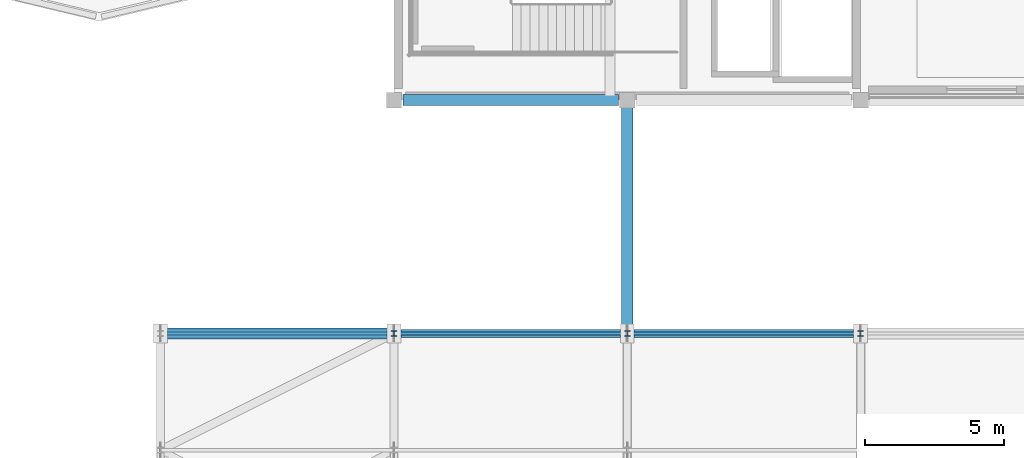
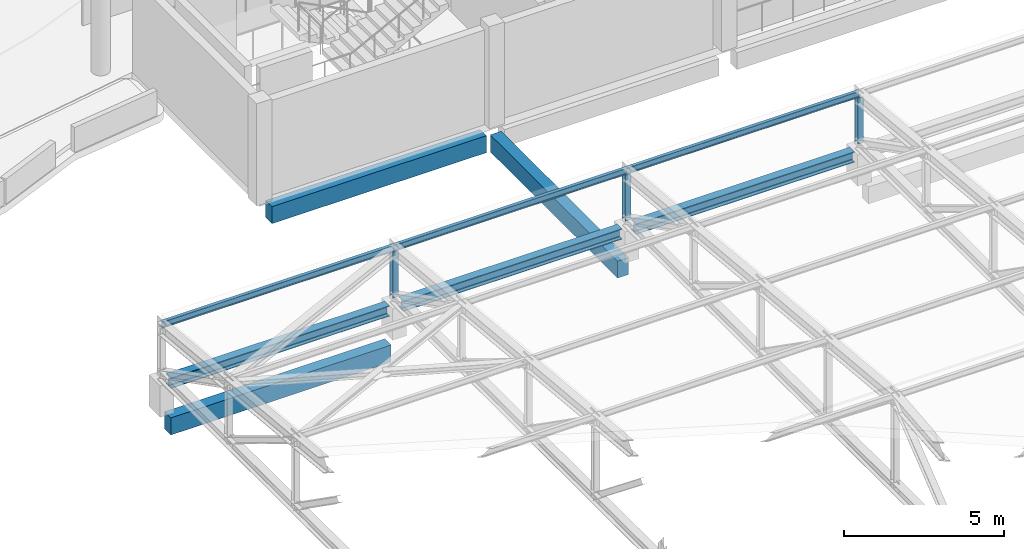
# One storey, part 27 of 74: 6 beams, 6 members.
"""IFC4 building model written with IfcOpenShell, lengths in metres."""

from ifc_helpers import new_model, si_unit, derived_unit, direction, frame, origin, origin_2d, place, context, subcontext, project, spatial, rectangle, i_section, extrude, material, material_profile, profile_set, type_object, element, save


model = new_model("IFC4")

# Units and contexts
model_context = context("Model", 3, precision=1e-05, world=origin(), true_north=direction((0.0, 1.0)))
body_context = subcontext(model_context, "Body", "Model", "MODEL_VIEW")
ifc_project = project(units=[si_unit("LENGTHUNIT", "METRE"), si_unit("AREAUNIT", "SQUARE_METRE"), si_unit("VOLUMEUNIT", "CUBIC_METRE"), si_unit("PLANEANGLEUNIT", "RADIAN"), si_unit("MASSUNIT", "GRAM", prefix="KILO"), derived_unit("THERMALTRANSMITTANCEUNIT", [(si_unit("POWERUNIT", "WATT"), 1), (si_unit("LENGTHUNIT", "METRE"), -2), (si_unit("THERMODYNAMICTEMPERATUREUNIT", "KELVIN"), -1)])], contexts=[model_context])

# Site, building, storey
site_placement = place(None, origin())
site = spatial("IfcSite", under=ifc_project, at=site_placement, CompositionType="ELEMENT")
building_placement = place(site_placement, origin())
building = spatial("IfcBuilding", under=site, at=building_placement, Name="Elbkamm Science Centre", CompositionType="ELEMENT")
storey_placement = place(building_placement, frame((0.0, 0.0, 14.39990234375)))
storey = spatial("IfcBuildingStorey", under=building, at=storey_placement, Name="L03", CompositionType="ELEMENT", Elevation=14.39990234375)

# Beams
ifc_material_1 = material(Name="Concrete C40/50", Category="concrete")
ifc_material_profile_1 = material_profile(ifc_material_1, rectangle(XDim=0.39990234375, YDim=0.64990234375, at=origin_2d()), Name="RC 400x650")
ifc_profile_set_1 = profile_set([ifc_material_profile_1], Name="Concrete C40/50")
beam_type_1 = type_object("IfcBeamType", Name="BM-RC-400x650", PredefinedType="BEAM", material=ifc_profile_set_1)
beam_1_placement = place(storey_placement, frame((75.925048828125, 42.0, -0.60498046875), z_axis=(1.0, 0.0, 0.0), x_axis=(0.0, 1.0, 0.0)))
element("IfcBeam", 1, at=beam_1_placement, inside=storey, type_object=beam_type_1, Name="L03 Primary X-Girder 007", PredefinedType="BEAM", context=body_context, shape_type="SweptSolid", body=[
    extrude(rectangle(XDim=0.39990234375, YDim=0.64990234375, at=origin_2d()), origin(), (0.0, 0.0, 1.0), 7.75),
])
for number, where, z_axis, x_axis, name in (
    (2, (67.419921875, 33.60009765625, -0.60498046875), (1.0, 0.0, 0.0), (0.0, 1.0, 0.0), "L03 Perimeter Ring Tie Girder 050"),
    (3, (84.0, 33.820068359375, -0.60498046875), (0.0, 1.0, 0.0), (-1.0, 0.0, 0.0), "L03 Perimeter Ring Tie Girder 052"),
):
    element("IfcBeam", number, at=place(storey_placement, frame(where, z_axis=z_axis, x_axis=x_axis)), inside=storey, type_object=beam_type_1, Name=name, PredefinedType="BEAM", context=body_context, shape_type="SweptSolid", body=[
        extrude(rectangle(XDim=0.39990234375, YDim=0.64990234375, at=origin_2d()), origin(), (0.0, 0.0, 1.0), 7.9599609375),
    ])
ifc_material_2 = material(Name="Steel EN 10025-2 S355J2", Category="steel")
ifc_material_profile_2 = material_profile(ifc_material_2, i_section(OverallWidth=0.300048828125, OverallDepth=0.39990234375, WebThickness=0.013427734375, FlangeThickness=0.02392578125, FilletRadius=0.027099609375, at=origin_2d()), Name="HEB 400")
ifc_profile_set_2 = profile_set([ifc_material_profile_2], Name="Steel EN 10025-2 S355J2")
beam_type_2 = type_object("IfcBeamType", Name="BM-STL-HEB400", PredefinedType="BEAM", material=ifc_profile_set_2)
beam_2_placement = place(storey_placement, frame((67.449951171875, 33.60009765625, 1.0), z_axis=(1.0, 0.0, 0.0), x_axis=(0.0, 1.0, 0.0)))
element("IfcBeam", 4, at=beam_2_placement, inside=storey, type_object=beam_type_2, Name="Theatre Eave Tie Girder N01", PredefinedType="SPANDREL", context=body_context, shape_type="SweptSolid", body=[
    extrude(i_section(OverallWidth=0.300048828125, OverallDepth=0.39990234375, WebThickness=0.013427734375, FlangeThickness=0.02392578125, FilletRadius=0.027099609375, at=origin_2d()), origin(), (0.0, 0.0, 1.0), 7.900146484375),
])
for number, where, z_axis, x_axis, name in (
    (5, (75.85009765625, 33.60009765625, 1.0), (1.0, 0.0, 0.0), (0.0, 1.0, 0.0), "Theatre Eave Tie Girder N02"),
    (6, (84.25, 33.60009765625, 1.0), (1.0, 0.0, 0.0), (0.0, 1.0, 0.0), "Theatre Eave Tie Girder N03"),
):
    element("IfcBeam", number, at=place(storey_placement, frame(where, z_axis=z_axis, x_axis=x_axis)), inside=storey, type_object=beam_type_2, Name=name, PredefinedType="SPANDREL", context=body_context, shape_type="SweptSolid", body=[
        extrude(i_section(OverallWidth=0.300048828125, OverallDepth=0.39990234375, WebThickness=0.013427734375, FlangeThickness=0.02392578125, FilletRadius=0.027099609375, at=origin_2d()), origin(), (0.0, 0.0, 1.0), 7.89990234375),
    ])

# Members
ifc_material_profile_3 = material_profile(ifc_material_2, i_section(OverallWidth=0.1201171875, OverallDepth=0.239990234375, WebThickness=0.006103515625, FlangeThickness=0.009765625, FilletRadius=0.014892578125, at=origin_2d()), Name="IPE 240")
ifc_profile_set_3 = profile_set([ifc_material_profile_3], Name="Steel EN 10025-2 S355J2")
member_type_1 = type_object("IfcMemberType", Name="MEM-PURLIN-IPE240", PredefinedType="PURLIN", material=ifc_profile_set_3)
member_placement = place(storey_placement, frame((67.199951171875, 33.60009765625, 3.257080078125), z_axis=(1.0, 0.0, 0.0), x_axis=(0.0, 1.0, 0.0)))
element("IfcMember", 7, at=member_placement, inside=storey, type_object=member_type_1, Name="Theatre Roof Purlin Bay 1-9", PredefinedType="PURLIN", context=body_context, shape_type="SweptSolid", body=[
    extrude(i_section(OverallWidth=0.1201171875, OverallDepth=0.239990234375, WebThickness=0.006103515625, FlangeThickness=0.009765625, FilletRadius=0.014892578125, at=origin_2d()), origin(), (0.0, 0.0, 1.0), 8.400146484375),
])
for number, where, z_axis, x_axis, name in (
    (8, (75.60009765625, 33.60009765625, 3.257080078125), (1.0, 0.0, 0.0), (0.0, 1.0, 0.0), "Theatre Roof Purlin Bay 2-9"),
    (9, (84.0, 33.60009765625, 3.257080078125), (1.0, 0.0, 0.0), (0.0, 1.0, 0.0), "Theatre Roof Purlin Bay 3-9"),
):
    element("IfcMember", number, at=place(storey_placement, frame(where, z_axis=z_axis, x_axis=x_axis)), inside=storey, type_object=member_type_1, Name=name, PredefinedType="PURLIN", context=body_context, shape_type="SweptSolid", body=[
        extrude(i_section(OverallWidth=0.1201171875, OverallDepth=0.239990234375, WebThickness=0.006103515625, FlangeThickness=0.009765625, FilletRadius=0.014892578125, at=origin_2d()), origin(), (0.0, 0.0, 1.0), 8.39990234375),
    ])
ifc_material_profile_4 = material_profile(ifc_material_2, i_section(OverallWidth=0.199951171875, OverallDepth=0.199951171875, WebThickness=0.009033203125, FlangeThickness=0.014892578125, FilletRadius=0.01806640625, at=origin_2d()), Name="HEB 200")
ifc_profile_set_4 = profile_set([ifc_material_profile_4], Name="Steel EN 10025-2 S355J2")
member_type_2 = type_object("IfcMemberType", Name="MEM-STRUT-HEB200", PredefinedType="STRUT", material=ifc_profile_set_4)
for number, where, z_axis, x_axis, name in (
    (10, (75.60009765625, 33.60009765625, 1.400146484375), (0.0, 0.0, 1.0), (1.0, 0.0, 0.0), "Theatre Steel Truss 02 Vertical Strut 9"),
    (11, (84.0, 33.60009765625, 1.400146484375), (0.0, 0.0, 1.0), (1.0, 0.0, 0.0), "Theatre Steel Truss 03 Vertical Strut 9"),
    (12, (92.39990234375, 33.60009765625, 1.400146484375), (0.0, 0.0, 1.0), (1.0, 0.0, 0.0), "Theatre Steel Truss 04 Vertical Strut 9"),
):
    element("IfcMember", number, at=place(storey_placement, frame(where, z_axis=z_axis, x_axis=x_axis)), inside=storey, type_object=member_type_2, Name=name, PredefinedType="STRUT", context=body_context, shape_type="SweptSolid", body=[
        extrude(i_section(OverallWidth=0.199951171875, OverallDepth=0.199951171875, WebThickness=0.009033203125, FlangeThickness=0.014892578125, FilletRadius=0.01806640625, at=origin_2d()), origin(), (0.0, 0.0, 1.0), 1.7568359375),
    ])

save(model, "model.ifc")
